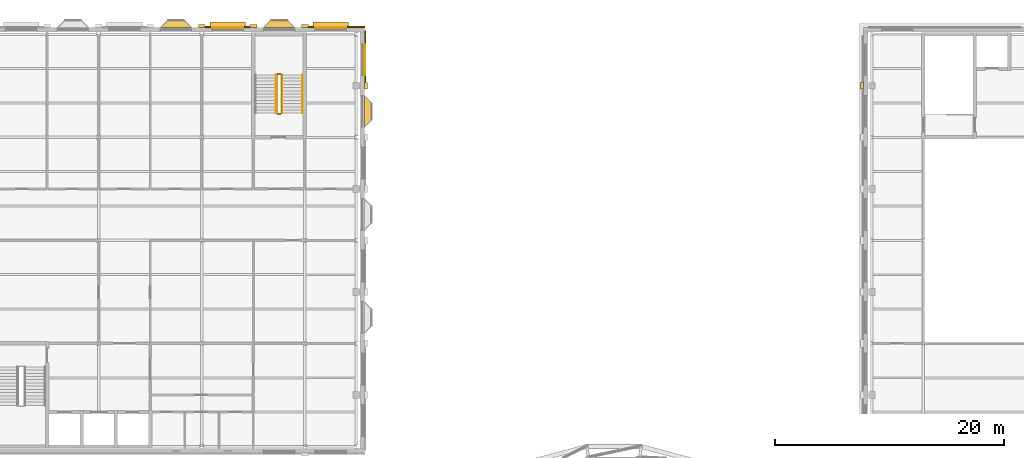
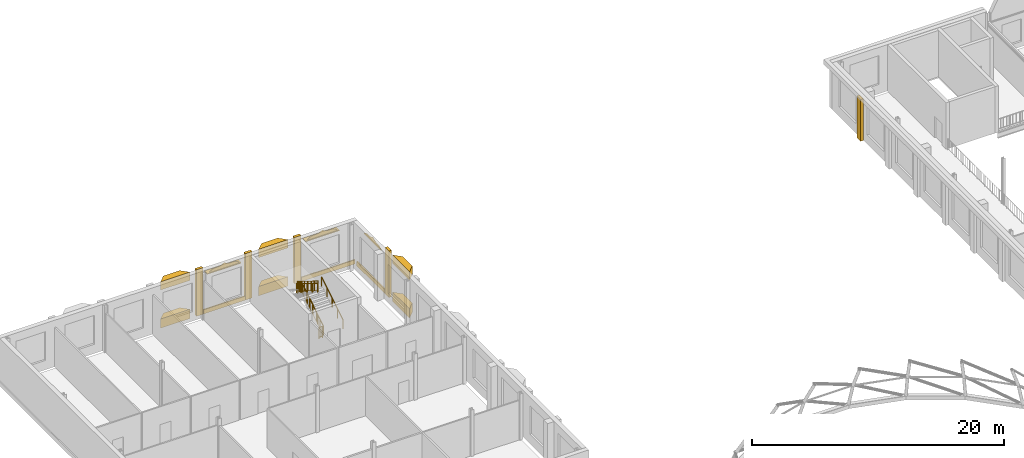
# One storey, part 58 of 59: 17 coverings, 7 railings, 2 shading devices.
"""IFC4 building model written with IfcOpenShell, lengths in metres."""

from ifc_helpers import new_model, si_unit, direction, frame, origin, origin_2d, place, context, subcontext, project, spatial, polyline, rectangle, circle, outline, extrude, material, layer, layer_set, type_object, element, save


model = new_model("IFC4")

# Units and contexts
model_context = context("Model", 3, precision=1e-05, world=origin(), true_north=direction((0.0, 1.0)))
body_context = subcontext(model_context, "Body", "Model", "MODEL_VIEW")
ifc_project = project(units=[si_unit("LENGTHUNIT", "METRE"), si_unit("AREAUNIT", "SQUARE_METRE"), si_unit("VOLUMEUNIT", "CUBIC_METRE"), si_unit("PLANEANGLEUNIT", "RADIAN"), si_unit("MASSUNIT", "GRAM", prefix="KILO")], contexts=[model_context])

# Site, building, storey
site_placement = place(None, origin())
site = spatial("IfcSite", under=ifc_project, at=site_placement, CompositionType="ELEMENT")
building_placement = place(site_placement, origin())
building = spatial("IfcBuilding", under=site, at=building_placement, Name="Hortulan Conservatory and Botanical Research Centre", CompositionType="ELEMENT")
storey_placement = place(building_placement, frame((0.0, 0.0, 10.5)))
storey = spatial("IfcBuildingStorey", under=building, at=storey_placement, Name="L02", CompositionType="ELEMENT", Elevation=10.5)

# Shading devices
ifc_material_1 = material(Name="Bronze-finished perforated aluminium", Category="aluminium")
ifc_layer_1 = layer(ifc_material_1, 0.06005859375)
ifc_layer_set_1 = layer_set([ifc_layer_1], Name="Catenary Hood 3100x500x60")
shading_device_type = type_object("IfcShadingDeviceType", Name="Catenary Hood 3100x500x60", PredefinedType="USERDEFINED", material=ifc_layer_set_1)
for number, where, z_axis, x_axis, name in (
    (1, (20.25, 72.83544921875, 3.7099609375), (0.0, 0.0, 1.0), (1.0, 0.0, 0.0), "Catenary hood"),
    (2, (29.25, 72.83544921875, 3.7099609375), (0.0, 0.0, 1.0), (1.0, 0.0, 0.0), "Catenary hood"),
):
    element("IfcShadingDevice", number, at=place(storey_placement, frame(where, z_axis=z_axis, x_axis=x_axis)), inside=storey, type_object=shading_device_type, Name=name, ObjectType="Catenary hood", PredefinedType="USERDEFINED", context=body_context, shape_type="SweptSolid", body=[
        extrude(rectangle(XDim=3.10009765625, YDim=0.5, at=origin_2d()), origin(), (0.0, 0.0, 1.0), 0.06005859375),
    ])

# Coverings
ifc_material_2 = material(Name="Faience cladding, waratah crimson glaze (non-combustible)", Category="ceramic")
ifc_layer_2 = layer(ifc_material_2, 0.030029296875)
ifc_layer_set_2 = layer_set([ifc_layer_2], Name="Faience Ogee Head Panel Crimson 2700x500")
covering_type_1 = type_object("IfcCoveringType", Name="Faience Ogee Head Panel Crimson 2700x500", PredefinedType="CLADDING", material=ifc_layer_set_2)
covering_1_placement = place(storey_placement, frame((18.89990234375, 72.6005859375, 3.820068359375), z_axis=(0.0, 0.0, 1.0), x_axis=(1.0, 0.0, 0.0)))
element("IfcCovering", 3, at=covering_1_placement, inside=storey, type_object=covering_type_1, Name="Ogee head panel", PredefinedType="CLADDING", context=body_context, shape_type="SweptSolid", body=[
    extrude(outline(polyline([(0.0, 0.0), (2.699951171875, 0.0), (2.699951171875, 0.079833984375), (2.58740234375, 0.1484375), (2.47509765625, 0.208251953125), (2.362548828125, 0.252197265625), (2.25, 0.278076171875), (2.137451171875, 0.28857421875), (2.02490234375, 0.2900390625), (1.91259765625, 0.291259765625), (1.800048828125, 0.3017578125), (1.6875, 0.32763671875), (1.574951171875, 0.371826171875), (1.46240234375, 0.431396484375), (1.35009765625, 0.5), (1.237548828125, 0.431396484375), (1.125, 0.371826171875), (1.012451171875, 0.32763671875), (0.89990234375, 0.3017578125), (0.78759765625, 0.291259765625), (0.675048828125, 0.2900390625), (0.5625, 0.28857421875), (0.449951171875, 0.278076171875), (0.33740234375, 0.252197265625), (0.22509765625, 0.208251953125), (0.112548828125, 0.1484375), (0.0, 0.079833984375), (0.0, 0.0)])), frame((0.0, 0.01513671875, 0.0), z_axis=(0.0, -1.0, 0.0), x_axis=(1.0, 0.0, 0.0)), (0.0, 0.0, 1.0), 0.030029296875),
])
ifc_material_3 = material(Name="Faience cladding, harbour teal glaze (non-combustible)", Category="ceramic")
ifc_layer_3 = layer(ifc_material_3, 0.030029296875)
ifc_layer_set_3 = layer_set([ifc_layer_3], Name="Faience Ogee Head Panel Teal 2700x500")
covering_type_2 = type_object("IfcCoveringType", Name="Faience Ogee Head Panel Teal 2700x500", PredefinedType="CLADDING", material=ifc_layer_set_3)
for number, where, z_axis, x_axis, name in (
    (4, (27.89990234375, 72.6005859375, 3.820068359375), (0.0, 0.0, 1.0), (1.0, 0.0, 0.0), "Ogee head panel"),
    (5, (32.239990234375, 71.10009765625, 3.820068359375), (0.0, 0.0, 1.0), (0.0, -1.0, 0.0), "Ogee head panel"),
):
    element("IfcCovering", number, at=place(storey_placement, frame(where, z_axis=z_axis, x_axis=x_axis)), inside=storey, type_object=covering_type_2, Name=name, PredefinedType="CLADDING", context=body_context, shape_type="SweptSolid", body=[
        extrude(outline(polyline([(0.0, 0.0), (2.699951171875, 0.0), (2.699951171875, 0.079833984375), (2.58740234375, 0.1484375), (2.47509765625, 0.208251953125), (2.362548828125, 0.252197265625), (2.25, 0.278076171875), (2.137451171875, 0.28857421875), (2.02490234375, 0.2900390625), (1.91259765625, 0.291259765625), (1.800048828125, 0.3017578125), (1.6875, 0.32763671875), (1.574951171875, 0.371826171875), (1.46240234375, 0.431396484375), (1.35009765625, 0.5), (1.237548828125, 0.431396484375), (1.125, 0.371826171875), (1.012451171875, 0.32763671875), (0.89990234375, 0.3017578125), (0.78759765625, 0.291259765625), (0.675048828125, 0.2900390625), (0.5625, 0.28857421875), (0.449951171875, 0.278076171875), (0.33740234375, 0.252197265625), (0.22509765625, 0.208251953125), (0.112548828125, 0.1484375), (0.0, 0.079833984375), (0.0, 0.0)])), frame((0.0, 0.01513671875, 0.0), z_axis=(0.0, -1.0, 0.0), x_axis=(1.0, 0.0, 0.0)), (0.0, 0.0, 1.0), 0.030029296875),
    ])
ifc_material_4 = material(Name="Faience-faced brickwork masonry", Category="masonry")
covering_type_3 = type_object("IfcCoveringType", Name="Faience Oriel Base", PredefinedType="CLADDING", material=ifc_material_4)
covering_2_placement = place(storey_placement, origin())
element("IfcCovering", 6, at=covering_2_placement, inside=storey, type_object=covering_type_3, Name="Oriel base", PredefinedType="CLADDING", context=body_context, shape_type="SweptSolid", body=[
    extrude(outline(polyline([(14.39990234375, 72.58544921875), (15.0, 73.185546875), (16.5, 73.185546875), (17.10009765625, 72.58544921875), (14.39990234375, 72.58544921875)])), origin(), (0.0, 0.0, 1.0), 0.89990234375),
])
covering_3_placement = place(storey_placement, origin())
element("IfcCovering", 7, at=covering_3_placement, inside=storey, type_object=covering_type_3, Name="Oriel base", PredefinedType="CLADDING", context=body_context, shape_type="SweptSolid", body=[
    extrude(outline(polyline([(23.39990234375, 72.58544921875), (24.0, 73.185546875), (25.5, 73.185546875), (26.10009765625, 72.58544921875), (23.39990234375, 72.58544921875)])), origin(), (0.0, 0.0, 1.0), 0.89990234375),
])
covering_4_placement = place(storey_placement, origin())
element("IfcCovering", 8, at=covering_4_placement, inside=storey, type_object=covering_type_3, Name="Oriel base", PredefinedType="CLADDING", context=body_context, shape_type="SweptSolid", body=[
    extrude(outline(polyline([(32.22509765625, 66.60009765625), (32.824951171875, 66.0), (32.824951171875, 64.5), (32.22509765625, 63.89990234375), (32.22509765625, 66.60009765625)])), origin(), (0.0, 0.0, 1.0), 0.89990234375),
])
covering_type_4 = type_object("IfcCoveringType", Name="Faience Oriel Frieze", PredefinedType="CLADDING", material=ifc_material_4)
covering_5_placement = place(storey_placement, frame((0.0, 0.0, 3.699951171875)))
element("IfcCovering", 9, at=covering_5_placement, inside=storey, type_object=covering_type_4, Name="Oriel frieze", PredefinedType="CLADDING", context=body_context, shape_type="SweptSolid", body=[
    extrude(outline(polyline([(14.39990234375, 72.58544921875), (15.0, 73.185546875), (16.5, 73.185546875), (17.10009765625, 72.58544921875), (14.39990234375, 72.58544921875)])), origin(), (0.0, 0.0, 1.0), 0.800048828125),
])
covering_6_placement = place(storey_placement, frame((0.0, 0.0, 3.699951171875)))
element("IfcCovering", 10, at=covering_6_placement, inside=storey, type_object=covering_type_4, Name="Oriel frieze", PredefinedType="CLADDING", context=body_context, shape_type="SweptSolid", body=[
    extrude(outline(polyline([(23.39990234375, 72.58544921875), (24.0, 73.185546875), (25.5, 73.185546875), (26.10009765625, 72.58544921875), (23.39990234375, 72.58544921875)])), origin(), (0.0, 0.0, 1.0), 0.800048828125),
])
covering_7_placement = place(storey_placement, frame((0.0, 0.0, 3.699951171875)))
element("IfcCovering", 11, at=covering_7_placement, inside=storey, type_object=covering_type_4, Name="Oriel frieze", PredefinedType="CLADDING", context=body_context, shape_type="SweptSolid", body=[
    extrude(outline(polyline([(32.22509765625, 66.60009765625), (32.824951171875, 66.0), (32.824951171875, 64.5), (32.22509765625, 63.89990234375), (32.22509765625, 66.60009765625)])), origin(), (0.0, 0.0, 1.0), 0.800048828125),
])
ifc_material_5 = material(Name="Faience cladding, cream glaze (non-combustible)", Category="ceramic")
ifc_layer_4 = layer(ifc_material_5, 0.25)
ifc_layer_set_4 = layer_set([ifc_layer_4], Name="Faience Pilaster 600x250")
covering_type_5 = type_object("IfcCoveringType", Name="Faience Pilaster 600x250", PredefinedType="CLADDING", material=ifc_layer_set_4)
for number, where, z_axis, x_axis, name in (
    (12, (18.0, 72.71044921875, 0.0), (0.0, 0.0, 1.0), (1.0, 0.0, 0.0), "Pier"),
    (13, (22.5, 72.71044921875, 0.0), (0.0, 0.0, 1.0), (1.0, 0.0, 0.0), "Pier"),
    (14, (27.0, 72.71044921875, 0.0), (0.0, 0.0, 1.0), (1.0, 0.0, 0.0), "Pier"),
    (15, (32.35009765625, 67.5, 0.0), (0.0, 0.0, 1.0), (0.0, -1.0, 0.0), "Pier"),
):
    element("IfcCovering", number, at=place(storey_placement, frame(where, z_axis=z_axis, x_axis=x_axis)), inside=storey, type_object=covering_type_5, Name=name, PredefinedType="CLADDING", context=body_context, shape_type="SweptSolid", body=[
        extrude(rectangle(XDim=0.60009765625, YDim=0.25, at=origin_2d()), origin(), (0.0, 0.0, 1.0), 4.5),
    ])
covering_8_placement = place(storey_placement, frame((75.64990234375, 67.5, 0.0), z_axis=(0.0, 0.0, 1.0), x_axis=(0.0, 1.0, 0.0)))
element("IfcCovering", 16, at=covering_8_placement, inside=storey, type_object=covering_type_5, Name="Pier", PredefinedType="CLADDING", context=body_context, shape_type="SweptSolid", body=[
    extrude(rectangle(XDim=0.60009765625, YDim=0.25, at=origin_2d()), origin(), (0.0, 0.0, 1.0), 4.050048828125),
])
ifc_layer_5 = layer(ifc_material_3, 0.10009765625)
ifc_layer_set_5 = layer_set([ifc_layer_5], Name="Faience String Course 400x100 Teal")
covering_type_6 = type_object("IfcCoveringType", Name="Faience String Course 400x100 Teal", PredefinedType="CLADDING", material=ifc_layer_set_5)
covering_9_placement = place(storey_placement, frame((20.25, 72.635498046875, 0.0), z_axis=(0.0, 0.0, 1.0), x_axis=(1.0, 0.0, 0.0)))
element("IfcCovering", 17, at=covering_9_placement, inside=storey, type_object=covering_type_6, Name="String course", PredefinedType="CLADDING", context=body_context, shape_type="SweptSolid", body=[
    extrude(rectangle(XDim=3.860107421875, YDim=0.10009765625, at=origin_2d()), origin(), (0.0, 0.0, 1.0), 0.39990234375),
])
covering_10_placement = place(storey_placement, frame((29.7724609375, 72.635498046875, 0.0), z_axis=(0.0, 0.0, 1.0), x_axis=(1.0, 0.0, 0.0)))
element("IfcCovering", 18, at=covering_10_placement, inside=storey, type_object=covering_type_6, Name="String course", PredefinedType="CLADDING", context=body_context, shape_type="SweptSolid", body=[
    extrude(rectangle(XDim=4.905029296875, YDim=0.10009765625, at=origin_2d()), origin(), (0.0, 0.0, 1.0), 0.39990234375),
])
covering_11_placement = place(storey_placement, frame((32.27490234375, 70.072509765625, 0.0), z_axis=(0.0, 0.0, 1.0), x_axis=(0.0, -1.0, 0.0)))
element("IfcCovering", 19, at=covering_11_placement, inside=storey, type_object=covering_type_6, Name="String course", PredefinedType="CLADDING", context=body_context, shape_type="SweptSolid", body=[
    extrude(rectangle(XDim=4.5048828125, YDim=0.10009765625, at=origin_2d()), origin(), (0.0, 0.0, 1.0), 0.39990234375),
])

# Railings
ifc_material_6 = material(Name="Steel balustrade, bronze-charcoal paint", Category="steel")
railing_type_1 = type_object("IfcRailingType", Name="Stair Guard 1100", PredefinedType="GUARDRAIL", material=ifc_material_6)
railing_1_placement = place(storey_placement, frame((24.949951171875, 65.10009765625, 0.173095703125)))
element("IfcRailing", 20, at=railing_1_placement, inside=storey, type_object=railing_type_1, Name="Guard V2 L02 stair 1", PredefinedType="GUARDRAIL", context=body_context, shape_type="SweptSolid", body=[
    extrude(circle(Radius=0.02392578125, at=origin_2d()), frame((0.0, 0.0, 1.076171875), z_axis=(0.0, 0.850606129759, 0.525803396734), x_axis=(-1.0, 0.0, 0.0)), (0.0, 0.0, 1.0), 3.949951171875),
    extrude(circle(Radius=0.02392578125, at=origin_2d()), frame((0.0, 0.0, 0.1240234375), z_axis=(0.0, 0.850606129759, 0.525803396734), x_axis=(-1.0, 0.0, 0.0)), (0.0, 0.0, 1.0), 3.949951171875),
    extrude(circle(Radius=0.008056640625, at=origin_2d()), frame((0.0, 0.09326171875, 0.205810546875)), (0.0, 0.0, 1.0), 0.90380859375),
    extrude(circle(Radius=0.008056640625, at=origin_2d()), frame((0.0, 0.186767578125, 0.263671875)), (0.0, 0.0, 1.0), 0.90380859375),
    extrude(circle(Radius=0.008056640625, at=origin_2d()), frame((0.0, 0.280029296875, 0.3212890625)), (0.0, 0.0, 1.0), 0.90380859375),
    extrude(circle(Radius=0.008056640625, at=origin_2d()), frame((0.0, 0.373291015625, 0.37890625)), (0.0, 0.0, 1.0), 0.90380859375),
    extrude(circle(Radius=0.008056640625, at=origin_2d()), frame((0.0, 0.466552734375, 0.436767578125)), (0.0, 0.0, 1.0), 0.90380859375),
    extrude(circle(Radius=0.008056640625, at=origin_2d()), frame((0.0, 0.56005859375, 0.494384765625)), (0.0, 0.0, 1.0), 0.90380859375),
    extrude(circle(Radius=0.008056640625, at=origin_2d()), frame((0.0, 0.6533203125, 0.552001953125)), (0.0, 0.0, 1.0), 0.90380859375),
    extrude(circle(Radius=0.008056640625, at=origin_2d()), frame((0.0, 0.74658203125, 0.609619140625)), (0.0, 0.0, 1.0), 0.90380859375),
    extrude(circle(Radius=0.008056640625, at=origin_2d()), frame((0.0, 0.83984375, 0.66748046875)), (0.0, 0.0, 1.0), 0.90380859375),
    extrude(circle(Radius=0.008056640625, at=origin_2d()), frame((0.0, 0.933349609375, 0.72509765625)), (0.0, 0.0, 1.0), 0.90380859375),
    extrude(circle(Radius=0.008056640625, at=origin_2d()), frame((0.0, 1.026611328125, 0.78271484375)), (0.0, 0.0, 1.0), 0.90380859375),
    extrude(circle(Radius=0.008056640625, at=origin_2d()), frame((0.0, 1.119873046875, 0.840576171875)), (0.0, 0.0, 1.0), 0.90380859375),
    extrude(circle(Radius=0.008056640625, at=origin_2d()), frame((0.0, 1.21337890625, 0.898193359375)), (0.0, 0.0, 1.0), 0.90380859375),
    extrude(circle(Radius=0.008056640625, at=origin_2d()), frame((0.0, 1.306640625, 0.955810546875)), (0.0, 0.0, 1.0), 0.90380859375),
    extrude(circle(Radius=0.008056640625, at=origin_2d()), frame((0.0, 1.39990234375, 1.013671875)), (0.0, 0.0, 1.0), 0.90380859375),
    extrude(circle(Radius=0.008056640625, at=origin_2d()), frame((0.0, 1.4931640625, 1.0712890625)), (0.0, 0.0, 1.0), 0.90380859375),
    extrude(circle(Radius=0.008056640625, at=origin_2d()), frame((0.0, 1.586669921875, 1.12890625)), (0.0, 0.0, 1.0), 0.90380859375),
    extrude(circle(Radius=0.008056640625, at=origin_2d()), frame((0.0, 1.679931640625, 1.1865234375)), (0.0, 0.0, 1.0), 0.90380859375),
    extrude(circle(Radius=0.008056640625, at=origin_2d()), frame((0.0, 1.773193359375, 1.244384765625)), (0.0, 0.0, 1.0), 0.90380859375),
    extrude(circle(Radius=0.008056640625, at=origin_2d()), frame((0.0, 1.86669921875, 1.302001953125)), (0.0, 0.0, 1.0), 0.90380859375),
    extrude(circle(Radius=0.008056640625, at=origin_2d()), frame((0.0, 1.9599609375, 1.359619140625)), (0.0, 0.0, 1.0), 0.90380859375),
    extrude(circle(Radius=0.008056640625, at=origin_2d()), frame((0.0, 2.05322265625, 1.41748046875)), (0.0, 0.0, 1.0), 0.90380859375),
    extrude(circle(Radius=0.008056640625, at=origin_2d()), frame((0.0, 2.146484375, 1.47509765625)), (0.0, 0.0, 1.0), 0.90380859375),
    extrude(circle(Radius=0.008056640625, at=origin_2d()), frame((0.0, 2.239990234375, 1.53271484375)), (0.0, 0.0, 1.0), 0.90380859375),
    extrude(circle(Radius=0.008056640625, at=origin_2d()), frame((0.0, 2.333251953125, 1.590576171875)), (0.0, 0.0, 1.0), 0.90380859375),
    extrude(circle(Radius=0.008056640625, at=origin_2d()), frame((0.0, 2.426513671875, 1.648193359375)), (0.0, 0.0, 1.0), 0.90380859375),
    extrude(circle(Radius=0.008056640625, at=origin_2d()), frame((0.0, 2.52001953125, 1.705810546875)), (0.0, 0.0, 1.0), 0.90380859375),
    extrude(circle(Radius=0.008056640625, at=origin_2d()), frame((0.0, 2.61328125, 1.763671875)), (0.0, 0.0, 1.0), 0.90380859375),
    extrude(circle(Radius=0.008056640625, at=origin_2d()), frame((0.0, 2.70654296875, 1.8212890625)), (0.0, 0.0, 1.0), 0.90380859375),
    extrude(circle(Radius=0.008056640625, at=origin_2d()), frame((0.0, 2.7998046875, 1.87890625)), (0.0, 0.0, 1.0), 0.90380859375),
    extrude(circle(Radius=0.008056640625, at=origin_2d()), frame((0.0, 2.893310546875, 1.9365234375)), (0.0, 0.0, 1.0), 0.90380859375),
    extrude(circle(Radius=0.008056640625, at=origin_2d()), frame((0.0, 2.986572265625, 1.994384765625)), (0.0, 0.0, 1.0), 0.90380859375),
    extrude(circle(Radius=0.008056640625, at=origin_2d()), frame((0.0, 3.079833984375, 2.052001953125)), (0.0, 0.0, 1.0), 0.90380859375),
    extrude(circle(Radius=0.008056640625, at=origin_2d()), frame((0.0, 3.173095703125, 2.109619140625)), (0.0, 0.0, 1.0), 0.90380859375),
    extrude(circle(Radius=0.008056640625, at=origin_2d()), frame((0.0, 3.2666015625, 2.16748046875)), (0.0, 0.0, 1.0), 0.90380859375),
    extrude(circle(Radius=0.02099609375, at=origin_2d()), origin(), (0.0, 0.0, 1.0), 1.052001953125),
    extrude(circle(Radius=0.02099609375, at=origin_2d()), frame((0.0, 0.83984375, 0.519287109375)), (0.0, 0.0, 1.0), 1.052001953125),
    extrude(circle(Radius=0.02099609375, at=origin_2d()), frame((0.0, 1.679931640625, 1.03857421875)), (0.0, 0.0, 1.0), 1.052001953125),
    extrude(circle(Radius=0.02099609375, at=origin_2d()), frame((0.0, 2.52001953125, 1.5576171875)), (0.0, 0.0, 1.0), 1.052001953125),
    extrude(circle(Radius=0.02099609375, at=origin_2d()), frame((0.0, 3.35986328125, 2.076904296875)), (0.0, 0.0, 1.0), 1.052001953125),
])
railing_2_placement = place(storey_placement, frame((24.89990234375, 68.510009765625, 2.25)))
element("IfcRailing", 21, at=railing_2_placement, inside=storey, type_object=railing_type_1, Name="Guard V2 L02 stair 2", PredefinedType="GUARDRAIL", context=body_context, shape_type="SweptSolid", body=[
    extrude(circle(Radius=0.02392578125, at=origin_2d()), frame((0.0, 0.0, 1.076171875), z_axis=(-1.0, 0.0, 0.0), x_axis=(0.0, -1.0, 0.0)), (0.0, 0.0, 1.0), 0.2998046875),
    extrude(circle(Radius=0.02392578125, at=origin_2d()), frame((0.0, 0.0, 0.1240234375), z_axis=(-1.0, 0.0, 0.0), x_axis=(0.0, -1.0, 0.0)), (0.0, 0.0, 1.0), 0.2998046875),
    extrude(circle(Radius=0.008056640625, at=origin_2d()), frame((-0.099853515625, 0.0, 0.148193359375)), (0.0, 0.0, 1.0), 0.90380859375),
    extrude(circle(Radius=0.008056640625, at=origin_2d()), frame((-0.199951171875, 0.0, 0.148193359375)), (0.0, 0.0, 1.0), 0.90380859375),
    extrude(circle(Radius=0.02099609375, at=origin_2d()), origin(), (0.0, 0.0, 1.0), 1.052001953125),
    extrude(circle(Radius=0.02099609375, at=origin_2d()), frame((-0.2998046875, 0.0, 0.0)), (0.0, 0.0, 1.0), 1.052001953125),
])
railing_3_placement = place(storey_placement, frame((24.550048828125, 68.4599609375, 2.423095703125)))
element("IfcRailing", 22, at=railing_3_placement, inside=storey, type_object=railing_type_1, Name="Guard V2 L02 stair 3", PredefinedType="GUARDRAIL", context=body_context, shape_type="SweptSolid", body=[
    extrude(circle(Radius=0.02392578125, at=origin_2d()), frame((0.0, 0.0, 1.076171875), z_axis=(0.0, -0.850606129759, 0.525803396734), x_axis=(1.0, 0.0, 0.0)), (0.0, 0.0, 1.0), 3.949951171875),
    extrude(circle(Radius=0.02392578125, at=origin_2d()), frame((0.0, 0.0, 0.1240234375), z_axis=(0.0, -0.850606129759, 0.525803396734), x_axis=(1.0, 0.0, 0.0)), (0.0, 0.0, 1.0), 3.949951171875),
    extrude(circle(Radius=0.008056640625, at=origin_2d()), frame((0.0, -0.09326171875, 0.205810546875)), (0.0, 0.0, 1.0), 0.90380859375),
    extrude(circle(Radius=0.008056640625, at=origin_2d()), frame((0.0, -0.186767578125, 0.263671875)), (0.0, 0.0, 1.0), 0.90380859375),
    extrude(circle(Radius=0.008056640625, at=origin_2d()), frame((0.0, -0.280029296875, 0.3212890625)), (0.0, 0.0, 1.0), 0.90380859375),
    extrude(circle(Radius=0.008056640625, at=origin_2d()), frame((0.0, -0.373291015625, 0.37890625)), (0.0, 0.0, 1.0), 0.90380859375),
    extrude(circle(Radius=0.008056640625, at=origin_2d()), frame((0.0, -0.466552734375, 0.436767578125)), (0.0, 0.0, 1.0), 0.90380859375),
    extrude(circle(Radius=0.008056640625, at=origin_2d()), frame((0.0, -0.56005859375, 0.494384765625)), (0.0, 0.0, 1.0), 0.90380859375),
    extrude(circle(Radius=0.008056640625, at=origin_2d()), frame((0.0, -0.6533203125, 0.552001953125)), (0.0, 0.0, 1.0), 0.90380859375),
    extrude(circle(Radius=0.008056640625, at=origin_2d()), frame((0.0, -0.74658203125, 0.609619140625)), (0.0, 0.0, 1.0), 0.90380859375),
    extrude(circle(Radius=0.008056640625, at=origin_2d()), frame((0.0, -0.83984375, 0.66748046875)), (0.0, 0.0, 1.0), 0.90380859375),
    extrude(circle(Radius=0.008056640625, at=origin_2d()), frame((0.0, -0.933349609375, 0.72509765625)), (0.0, 0.0, 1.0), 0.90380859375),
    extrude(circle(Radius=0.008056640625, at=origin_2d()), frame((0.0, -1.026611328125, 0.78271484375)), (0.0, 0.0, 1.0), 0.90380859375),
    extrude(circle(Radius=0.008056640625, at=origin_2d()), frame((0.0, -1.119873046875, 0.840576171875)), (0.0, 0.0, 1.0), 0.90380859375),
    extrude(circle(Radius=0.008056640625, at=origin_2d()), frame((0.0, -1.21337890625, 0.898193359375)), (0.0, 0.0, 1.0), 0.90380859375),
    extrude(circle(Radius=0.008056640625, at=origin_2d()), frame((0.0, -1.306640625, 0.955810546875)), (0.0, 0.0, 1.0), 0.90380859375),
    extrude(circle(Radius=0.008056640625, at=origin_2d()), frame((0.0, -1.39990234375, 1.013671875)), (0.0, 0.0, 1.0), 0.90380859375),
    extrude(circle(Radius=0.008056640625, at=origin_2d()), frame((0.0, -1.4931640625, 1.0712890625)), (0.0, 0.0, 1.0), 0.90380859375),
    extrude(circle(Radius=0.008056640625, at=origin_2d()), frame((0.0, -1.586669921875, 1.12890625)), (0.0, 0.0, 1.0), 0.90380859375),
    extrude(circle(Radius=0.008056640625, at=origin_2d()), frame((0.0, -1.679931640625, 1.1865234375)), (0.0, 0.0, 1.0), 0.90380859375),
    extrude(circle(Radius=0.008056640625, at=origin_2d()), frame((0.0, -1.773193359375, 1.244384765625)), (0.0, 0.0, 1.0), 0.90380859375),
    extrude(circle(Radius=0.008056640625, at=origin_2d()), frame((0.0, -1.86669921875, 1.302001953125)), (0.0, 0.0, 1.0), 0.90380859375),
    extrude(circle(Radius=0.008056640625, at=origin_2d()), frame((0.0, -1.9599609375, 1.359619140625)), (0.0, 0.0, 1.0), 0.90380859375),
    extrude(circle(Radius=0.008056640625, at=origin_2d()), frame((0.0, -2.05322265625, 1.41748046875)), (0.0, 0.0, 1.0), 0.90380859375),
    extrude(circle(Radius=0.008056640625, at=origin_2d()), frame((0.0, -2.146484375, 1.47509765625)), (0.0, 0.0, 1.0), 0.90380859375),
    extrude(circle(Radius=0.008056640625, at=origin_2d()), frame((0.0, -2.239990234375, 1.53271484375)), (0.0, 0.0, 1.0), 0.90380859375),
    extrude(circle(Radius=0.008056640625, at=origin_2d()), frame((0.0, -2.333251953125, 1.590576171875)), (0.0, 0.0, 1.0), 0.90380859375),
    extrude(circle(Radius=0.008056640625, at=origin_2d()), frame((0.0, -2.426513671875, 1.648193359375)), (0.0, 0.0, 1.0), 0.90380859375),
    extrude(circle(Radius=0.008056640625, at=origin_2d()), frame((0.0, -2.52001953125, 1.705810546875)), (0.0, 0.0, 1.0), 0.90380859375),
    extrude(circle(Radius=0.008056640625, at=origin_2d()), frame((0.0, -2.61328125, 1.763671875)), (0.0, 0.0, 1.0), 0.90380859375),
    extrude(circle(Radius=0.008056640625, at=origin_2d()), frame((0.0, -2.70654296875, 1.8212890625)), (0.0, 0.0, 1.0), 0.90380859375),
    extrude(circle(Radius=0.008056640625, at=origin_2d()), frame((0.0, -2.7998046875, 1.87890625)), (0.0, 0.0, 1.0), 0.90380859375),
    extrude(circle(Radius=0.008056640625, at=origin_2d()), frame((0.0, -2.893310546875, 1.9365234375)), (0.0, 0.0, 1.0), 0.90380859375),
    extrude(circle(Radius=0.008056640625, at=origin_2d()), frame((0.0, -2.986572265625, 1.994384765625)), (0.0, 0.0, 1.0), 0.90380859375),
    extrude(circle(Radius=0.008056640625, at=origin_2d()), frame((0.0, -3.079833984375, 2.052001953125)), (0.0, 0.0, 1.0), 0.90380859375),
    extrude(circle(Radius=0.008056640625, at=origin_2d()), frame((0.0, -3.173095703125, 2.109619140625)), (0.0, 0.0, 1.0), 0.90380859375),
    extrude(circle(Radius=0.008056640625, at=origin_2d()), frame((0.0, -3.2666015625, 2.16748046875)), (0.0, 0.0, 1.0), 0.90380859375),
    extrude(circle(Radius=0.02099609375, at=origin_2d()), origin(), (0.0, 0.0, 1.0), 1.052001953125),
    extrude(circle(Radius=0.02099609375, at=origin_2d()), frame((0.0, -0.83984375, 0.519287109375)), (0.0, 0.0, 1.0), 1.052001953125),
    extrude(circle(Radius=0.02099609375, at=origin_2d()), frame((0.0, -1.679931640625, 1.03857421875)), (0.0, 0.0, 1.0), 1.052001953125),
    extrude(circle(Radius=0.02099609375, at=origin_2d()), frame((0.0, -2.52001953125, 1.5576171875)), (0.0, 0.0, 1.0), 1.052001953125),
    extrude(circle(Radius=0.02099609375, at=origin_2d()), frame((0.0, -3.35986328125, 2.076904296875)), (0.0, 0.0, 1.0), 1.052001953125),
])
railing_4_placement = place(storey_placement, frame((24.89990234375, 65.050048828125, 0.0)))
element("IfcRailing", 23, at=railing_4_placement, inside=storey, type_object=railing_type_1, Name="Guard V2 L02 stair 4", PredefinedType="GUARDRAIL", context=body_context, shape_type="SweptSolid", body=[
    extrude(circle(Radius=0.02392578125, at=origin_2d()), frame((0.0, 0.0, 1.076171875), z_axis=(-1.0, 0.0, 0.0), x_axis=(0.0, -1.0, 0.0)), (0.0, 0.0, 1.0), 0.2998046875),
    extrude(circle(Radius=0.02392578125, at=origin_2d()), frame((0.0, 0.0, 0.1240234375), z_axis=(-1.0, 0.0, 0.0), x_axis=(0.0, -1.0, 0.0)), (0.0, 0.0, 1.0), 0.2998046875),
    extrude(circle(Radius=0.008056640625, at=origin_2d()), frame((-0.099853515625, 0.0, 0.148193359375)), (0.0, 0.0, 1.0), 0.90380859375),
    extrude(circle(Radius=0.008056640625, at=origin_2d()), frame((-0.199951171875, 0.0, 0.148193359375)), (0.0, 0.0, 1.0), 0.90380859375),
    extrude(circle(Radius=0.02099609375, at=origin_2d()), origin(), (0.0, 0.0, 1.0), 1.052001953125),
    extrude(circle(Radius=0.02099609375, at=origin_2d()), frame((-0.2998046875, 0.0, 0.0)), (0.0, 0.0, 1.0), 1.052001953125),
])
ifc_material_7 = material(Name="Bronze handrail, polished", Category="metal")
railing_type_2 = type_object("IfcRailingType", Name="Stair Handrail 900", PredefinedType="HANDRAIL", material=ifc_material_7)
for number, where, name in (
    (24, (26.800048828125, 65.10009765625, 0.173095703125), "Handrail V2 L02 stair 1"),
    (25, (25.02001953125, 65.10009765625, 0.173095703125), "Handrail V2 L02 stair 3"),
):
    element("IfcRailing", number, at=place(storey_placement, frame(where)), inside=storey, type_object=railing_type_2, Name=name, PredefinedType="HANDRAIL", context=body_context, shape_type="SweptSolid", body=[
        extrude(circle(Radius=0.02392578125, at=origin_2d()), frame((0.0, 0.0, 0.8759765625), z_axis=(0.0, 0.850606129759, 0.525803396734), x_axis=(-1.0, 0.0, 0.0)), (0.0, 0.0, 1.0), 3.949951171875),
        extrude(circle(Radius=0.02099609375, at=origin_2d()), origin(), (0.0, 0.0, 1.0), 0.851806640625),
        extrude(circle(Radius=0.02099609375, at=origin_2d()), frame((0.0, 0.83984375, 0.519287109375)), (0.0, 0.0, 1.0), 0.851806640625),
        extrude(circle(Radius=0.02099609375, at=origin_2d()), frame((0.0, 1.679931640625, 1.03857421875)), (0.0, 0.0, 1.0), 0.851806640625),
        extrude(circle(Radius=0.02099609375, at=origin_2d()), frame((0.0, 2.52001953125, 1.5576171875)), (0.0, 0.0, 1.0), 0.851806640625),
        extrude(circle(Radius=0.02099609375, at=origin_2d()), frame((0.0, 3.35986328125, 2.076904296875)), (0.0, 0.0, 1.0), 0.851806640625),
    ])
railing_5_placement = place(storey_placement, frame((24.47998046875, 68.4599609375, 2.423095703125)))
element("IfcRailing", 26, at=railing_5_placement, inside=storey, type_object=railing_type_2, Name="Handrail V2 L02 stair 4", PredefinedType="HANDRAIL", context=body_context, shape_type="SweptSolid", body=[
    extrude(circle(Radius=0.02392578125, at=origin_2d()), frame((0.0, 0.0, 0.8759765625), z_axis=(0.0, -0.850606129759, 0.525803396734), x_axis=(1.0, 0.0, 0.0)), (0.0, 0.0, 1.0), 3.949951171875),
    extrude(circle(Radius=0.02099609375, at=origin_2d()), origin(), (0.0, 0.0, 1.0), 0.851806640625),
    extrude(circle(Radius=0.02099609375, at=origin_2d()), frame((0.0, -0.83984375, 0.519287109375)), (0.0, 0.0, 1.0), 0.851806640625),
    extrude(circle(Radius=0.02099609375, at=origin_2d()), frame((0.0, -1.679931640625, 1.03857421875)), (0.0, 0.0, 1.0), 0.851806640625),
    extrude(circle(Radius=0.02099609375, at=origin_2d()), frame((0.0, -2.52001953125, 1.5576171875)), (0.0, 0.0, 1.0), 0.851806640625),
    extrude(circle(Radius=0.02099609375, at=origin_2d()), frame((0.0, -3.35986328125, 2.076904296875)), (0.0, 0.0, 1.0), 0.851806640625),
])

save(model, "model.ifc")
